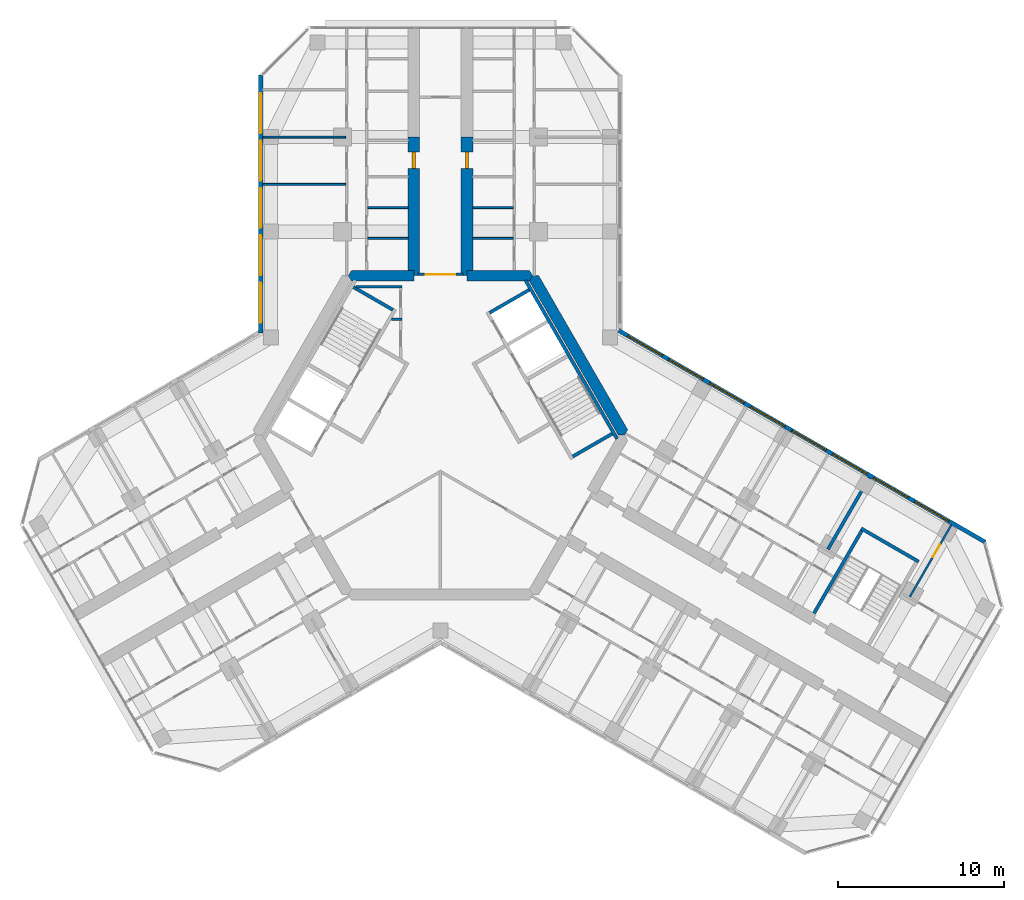
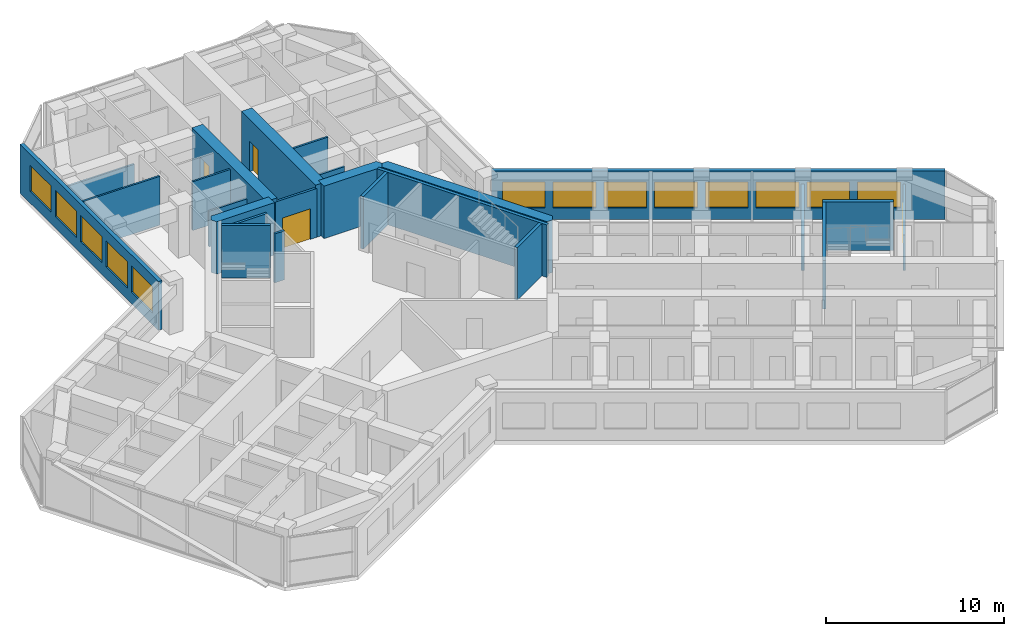
# One storey, part 13 of 16: 24 walls, 13 windows, 4 doors, 17 openings.
"""IFC4 building model written with IfcOpenShell, lengths in metres."""

from ifc_helpers import new_model, si_unit, direction, frame, frame_2d, origin, place, context, subcontext, project, spatial, polyline, rectangle, outline, extrude, material, layer, layer_set, type_object, element, fill, save


model = new_model("IFC4")

# Units and contexts
model_context = context("Model", 3, precision=1e-05, world=origin(), true_north=direction((0.0, 1.0)))
body_context = subcontext(model_context, "Body", "Model", "MODEL_VIEW")
ifc_project = project(units=[si_unit("LENGTHUNIT", "METRE"), si_unit("AREAUNIT", "SQUARE_METRE"), si_unit("VOLUMEUNIT", "CUBIC_METRE"), si_unit("PLANEANGLEUNIT", "RADIAN"), si_unit("MASSUNIT", "GRAM", prefix="KILO")], contexts=[model_context])

# Site, building, storey
site_placement = place(None, origin())
site = spatial("IfcSite", under=ifc_project, at=site_placement, CompositionType="ELEMENT")
building_placement = place(site_placement, origin())
building = spatial("IfcBuilding", under=site, at=building_placement, Name="Kosmar Iwan School Tower", CompositionType="ELEMENT")
storey_placement = place(building_placement, frame((0.0, 0.0, 204.60009765625)))
storey = spatial("IfcBuildingStorey", under=building, at=storey_placement, Name="L51", CompositionType="ELEMENT", Elevation=204.60009765625)

# Walls
ifc_material_1 = material(Name="Gypsum board on steel studs, fire-rated", Category="steel")
ifc_layer_1 = layer(ifc_material_1, 0.14990234375)
ifc_layer_set_1 = layer_set([ifc_layer_1], Name="Core room partition 150")
wall_type_1 = type_object("IfcWallType", Name="Core room partition 150", PredefinedType="PARTITIONING", material=ifc_layer_set_1)
wall_1_placement = place(storey_placement, frame((-2.324951171875, 6.985107421875, 0.0), z_axis=(0.0, 0.0, 1.0), x_axis=(-1.0, 0.0, 0.0)))
element("IfcWall", 1, at=wall_1_placement, inside=storey, type_object=wall_type_1, Name="Core room partition L51-CW2", PredefinedType="PARTITIONING", context=body_context, shape_type="SweptSolid", body=[
    extrude(rectangle(XDim=0.623779296875, YDim=0.14990234375, at=frame_2d((0.31201171875, 0.0))), origin(), (0.0, 0.0, 1.0), 3.349853515625),
])
wall_2_placement = place(storey_placement, frame((-5.089599609375, 8.93994140625, 0.0), z_axis=(0.0, 0.0, 1.0), x_axis=(1.0, 0.0, 0.0)))
element("IfcWall", 2, at=wall_2_placement, inside=storey, type_object=wall_type_1, Name="Core room partition L51-CW3", PredefinedType="PARTITIONING", context=body_context, shape_type="SweptSolid", body=[
    extrude(rectangle(XDim=2.7646484375, YDim=0.14990234375, at=frame_2d((1.38232421875, 0.0))), origin(), (0.0, 0.0, 1.0), 3.349853515625),
])
ifc_material_2 = material(Name="Concrete C50/60", Category="concrete")
ifc_layer_2 = layer(ifc_material_2, 0.64990234375)
ifc_layer_set_2 = layer_set([ifc_layer_2], Name="Core wall 650")
wall_type_2 = type_object("IfcWallType", Name="Core wall 650", PredefinedType="SHEAR", material=ifc_layer_set_2)
wall_3_placement = place(storey_placement, origin())
element("IfcWall", 3, at=wall_3_placement, inside=storey, type_object=wall_type_2, Name="Core wall F030", PredefinedType="SHEAR", context=body_context, shape_type="SweptSolid", body=[
    extrude(outline(polyline([(10.7099609375, 0.0), (11.085205078125, 0.0), (11.272705078125, 0.324951171875), (5.917724609375, 9.60009765625), (5.54248046875, 9.60009765625), (5.35498046875, 9.27490234375), (10.7099609375, 0.0)])), origin(), (0.0, 0.0, 1.0), 3.599853515625),
])
wall_4_placement = place(storey_placement, origin())
element("IfcWall", 4, at=wall_4_placement, inside=storey, type_object=wall_type_2, Name="Core wall F090a", PredefinedType="SHEAR", context=body_context, shape_type="SweptSolid", body=[
    extrude(outline(polyline([(1.60009765625, 9.27490234375), (5.35498046875, 9.27490234375), (5.54248046875, 9.60009765625), (5.35498046875, 9.925048828125), (1.60009765625, 9.925048828125), (1.60009765625, 9.27490234375)])), origin(), (0.0, 0.0, 1.0), 3.599853515625),
])
wall_5_placement = place(storey_placement, origin())
element("IfcWall", 5, at=wall_5_placement, inside=storey, type_object=wall_type_2, Name="Core wall F090b", PredefinedType="SHEAR", context=body_context, shape_type="SweptSolid", body=[
    extrude(outline(polyline([(-5.35498046875, 9.27490234375), (-1.60009765625, 9.27490234375), (-1.60009765625, 9.925048828125), (-5.35498046875, 9.925048828125), (-5.54248046875, 9.60009765625), (-5.35498046875, 9.27490234375)])), origin(), (0.0, 0.0, 1.0), 3.599853515625),
])

# Wall, opening, door
ifc_material_3 = material(Name="Concrete C50/60", Category="concrete")
ifc_layer_3 = layer(ifc_material_3, 0.699951171875)
ifc_layer_set_3 = layer_set([ifc_layer_3], Name="Corridor buttress wall 700")
wall_type_3 = type_object("IfcWallType", Name="Corridor buttress wall 700", PredefinedType="SHEAR", material=ifc_layer_set_3)
wall_6_placement = place(storey_placement, frame((-1.60009765625, 9.60009765625, 0.0), z_axis=(0.0, 0.0, 1.0), x_axis=(0.0, 1.0, 0.0)))
wall_6 = element("IfcWall", 6, at=wall_6_placement, inside=storey, type_object=wall_type_3, Name="Corridor wall AL", PredefinedType="SHEAR", context=body_context, shape_type="SweptSolid", body=[
    extrude(rectangle(XDim=8.349853515625, YDim=0.699951171875, at=frame_2d((4.1748046875, 0.0))), origin(), (0.0, 0.0, 1.0), 3.599853515625),
])
opening_1_placement = place(wall_6_placement, frame((6.449951171875, 0.0, 0.0)))
opening_1 = element("IfcOpeningElement", 7, at=opening_1_placement, cuts=wall_6, Name="Opening D1", PredefinedType="OPENING", context=body_context, shape_type="SweptSolid", body=[
    extrude(rectangle(XDim=1.0, YDim=2.10009765625, at=frame_2d((0.5, 1.050048828125))), frame((0.0, 0.362060546875, 0.0), z_axis=(0.0, -1.0, 0.0), x_axis=(1.0, 0.0, 0.0)), (0.0, 0.0, 1.0), 0.723876953125),
])
ifc_material_4 = material(Name="Timber fire door in steel frame", Category="steel")
door_type_1 = type_object("IfcDoorType", Name="Flat entrance door 1000x2100", OperationType="SINGLE_SWING_LEFT", PredefinedType="DOOR", material=ifc_material_4)
door_1_placement = place(opening_1_placement, origin())
door_1 = element("IfcDoor", 8, at=door_1_placement, inside=storey, type_object=door_type_1, Name="Flat L51-AL1 entrance door", OperationType="SINGLE_SWING_LEFT", OverallHeight=2.10009765625, OverallWidth=1.0, PredefinedType="DOOR", context=body_context, shape_type="SweptSolid", body=[
    extrude(rectangle(XDim=1.0, YDim=2.10009765625, at=frame_2d((0.5, 1.050048828125))), frame((0.0, 0.10009765625, 0.0), z_axis=(0.0, -1.0, 0.0), x_axis=(1.0, 0.0, 0.0)), (0.0, 0.0, 1.0), 0.199951171875),
])
fill(opening_1, door_1)

wall_7_placement = place(storey_placement, frame((1.60009765625, 9.60009765625, 0.0), z_axis=(0.0, 0.0, 1.0), x_axis=(0.0, 1.0, 0.0)))
wall_7 = element("IfcWall", 9, at=wall_7_placement, inside=storey, type_object=wall_type_3, Name="Corridor wall AR", PredefinedType="SHEAR", context=body_context, shape_type="SweptSolid", body=[
    extrude(rectangle(XDim=8.349853515625, YDim=0.699951171875, at=frame_2d((4.1748046875, 0.0))), origin(), (0.0, 0.0, 1.0), 3.599853515625),
])
opening_2_placement = place(wall_7_placement, frame((6.449951171875, 0.0, 0.0)))
opening_2 = element("IfcOpeningElement", 10, at=opening_2_placement, cuts=wall_7, Name="Opening D1", PredefinedType="OPENING", context=body_context, shape_type="SweptSolid", body=[
    extrude(rectangle(XDim=1.0, YDim=2.10009765625, at=frame_2d((0.5, 1.050048828125))), frame((0.0, 0.362060546875, 0.0), z_axis=(0.0, -1.0, 0.0), x_axis=(1.0, 0.0, 0.0)), (0.0, 0.0, 1.0), 0.723876953125),
])
door_2_placement = place(opening_2_placement, origin())
door_2 = element("IfcDoor", 11, at=door_2_placement, inside=storey, type_object=door_type_1, Name="Flat L51-AR1 entrance door", OperationType="SINGLE_SWING_RIGHT", OverallHeight=2.10009765625, OverallWidth=1.0, PredefinedType="DOOR", context=body_context, shape_type="SweptSolid", body=[
    extrude(rectangle(XDim=1.0, YDim=2.10009765625, at=frame_2d((0.5, 1.050048828125))), frame((0.0, 0.10009765625, 0.0), z_axis=(0.0, -1.0, 0.0), x_axis=(1.0, 0.0, 0.0)), (0.0, 0.0, 1.0), 0.199951171875),
])
fill(opening_2, door_2)

ifc_material_5 = material(Name="Steel framed glazed screen", Category="steel")
ifc_layer_4 = layer(ifc_material_5, 0.14990234375)
ifc_layer_set_4 = layer_set([ifc_layer_4], Name="Corridor screen wall 150")
wall_type_4 = type_object("IfcWallType", Name="Corridor screen wall 150", PredefinedType="PARTITIONING", material=ifc_layer_set_4)
wall_8_placement = place(storey_placement, frame((1.35009765625, 9.675048828125, 0.0), z_axis=(0.0, 0.0, 1.0), x_axis=(-1.0, 0.0, 0.0)))
wall_8 = element("IfcWall", 12, at=wall_8_placement, inside=storey, type_object=wall_type_4, Name="Corridor screen A L51", PredefinedType="PARTITIONING", context=body_context, shape_type="SweptSolid", body=[
    extrude(rectangle(XDim=2.7001953125, YDim=0.14990234375, at=frame_2d((1.35009765625, 0.0))), origin(), (0.0, 0.0, 1.0), 3.349853515625),
])
opening_3_placement = place(wall_8_placement, frame((0.449951171875, 0.0, 0.0)))
opening_3 = element("IfcOpeningElement", 13, at=opening_3_placement, cuts=wall_8, Name="Opening D9", PredefinedType="OPENING", context=body_context, shape_type="SweptSolid", body=[
    extrude(rectangle(XDim=1.800048828125, YDim=2.10009765625, at=frame_2d((0.89990234375, 1.050048828125))), frame((0.0, 0.0869140625, 0.0), z_axis=(0.0, -1.0, 0.0), x_axis=(1.0, 0.0, 0.0)), (0.0, 0.0, 1.0), 0.173828125),
])
ifc_material_6 = material(Name="Steel framed glazed smoke door", Category="steel")
door_type_2 = type_object("IfcDoorType", Name="Corridor smoke door pair 1800x2100", OperationType="DOUBLE_DOOR_DOUBLE_SWING", PredefinedType="DOOR", material=ifc_material_6)
door_3_placement = place(opening_3_placement, origin())
door_3 = element("IfcDoor", 14, at=door_3_placement, inside=storey, type_object=door_type_2, Name="Corridor doors A L51", OperationType="DOUBLE_DOOR_DOUBLE_SWING", OverallHeight=2.10009765625, OverallWidth=1.800048828125, PredefinedType="DOOR", context=body_context, shape_type="SweptSolid", body=[
    extrude(rectangle(XDim=1.800048828125, YDim=2.10009765625, at=frame_2d((0.89990234375, 1.050048828125))), frame((0.0, 0.02490234375, 0.0), z_axis=(0.0, -1.0, 0.0), x_axis=(1.0, 0.0, 0.0)), (0.0, 0.0, 1.0), 0.050048828125),
])
fill(opening_3, door_3)

# Walls
ifc_material_7 = material(Name="Gypsum board on steel studs", Category="steel")
ifc_layer_5 = layer(ifc_material_7, 0.1201171875)
ifc_layer_set_5 = layer_set([ifc_layer_5], Name="Dwelling partition 120")
wall_type_5 = type_object("IfcWallType", Name="Dwelling partition 120", PredefinedType="PARTITIONING", material=ifc_layer_set_5)
wall_9_placement = place(storey_placement, frame((-5.7099609375, 15.10009765625, 0.0), z_axis=(0.0, 0.0, 1.0), x_axis=(-1.0, 0.0, 0.0)))
element("IfcWall", 15, at=wall_9_placement, inside=storey, type_object=wall_type_5, Name="Partition L51-AL1-X1", PredefinedType="PARTITIONING", context=body_context, shape_type="SweptSolid", body=[
    extrude(rectangle(XDim=4.989990234375, YDim=0.1201171875, at=frame_2d((2.4951171875, 0.0))), origin(), (0.0, 0.0, 1.0), 3.349853515625),
])
wall_10_placement = place(storey_placement, frame((-5.7099609375, 17.949951171875, 0.0), z_axis=(0.0, 0.0, 1.0), x_axis=(-1.0, 0.0, 0.0)))
element("IfcWall", 16, at=wall_10_placement, inside=storey, type_object=wall_type_5, Name="Partition L51-AL1-X2", PredefinedType="PARTITIONING", context=body_context, shape_type="SweptSolid", body=[
    extrude(rectangle(XDim=4.989990234375, YDim=0.1201171875, at=frame_2d((2.4951171875, 0.0))), origin(), (0.0, 0.0, 1.0), 2.449951171875),
])
wall_11_placement = place(storey_placement, frame((-1.949951171875, 11.85009765625, 0.0), z_axis=(0.0, 0.0, 1.0), x_axis=(-1.0, 0.0, 0.0)))
element("IfcWall", 17, at=wall_11_placement, inside=storey, type_object=wall_type_5, Name="Partition L51-AL1-Y1", PredefinedType="PARTITIONING", context=body_context, shape_type="SweptSolid", body=[
    extrude(rectangle(XDim=2.43994140625, YDim=0.1201171875, at=frame_2d((1.219970703125, 0.0))), origin(), (0.0, 0.0, 1.0), 2.449951171875),
])
wall_12_placement = place(storey_placement, frame((-1.949951171875, 13.699951171875, 0.0), z_axis=(0.0, 0.0, 1.0), x_axis=(-1.0, 0.0, 0.0)))
element("IfcWall", 18, at=wall_12_placement, inside=storey, type_object=wall_type_5, Name="Partition L51-AL1-Y2", PredefinedType="PARTITIONING", context=body_context, shape_type="SweptSolid", body=[
    extrude(rectangle(XDim=2.43994140625, YDim=0.1201171875, at=frame_2d((1.219970703125, 0.0))), origin(), (0.0, 0.0, 1.0), 3.349853515625),
])
wall_13_placement = place(storey_placement, frame((1.949951171875, 11.85009765625, 0.0), z_axis=(0.0, 0.0, 1.0), x_axis=(1.0, 0.0, 0.0)))
element("IfcWall", 19, at=wall_13_placement, inside=storey, type_object=wall_type_5, Name="Partition L51-AR1-Y1", PredefinedType="PARTITIONING", context=body_context, shape_type="SweptSolid", body=[
    extrude(rectangle(XDim=2.43994140625, YDim=0.1201171875, at=frame_2d((1.219970703125, 0.0))), origin(), (0.0, 0.0, 1.0), 2.449951171875),
])
wall_14_placement = place(storey_placement, frame((1.949951171875, 13.699951171875, 0.0), z_axis=(0.0, 0.0, 1.0), x_axis=(1.0, 0.0, 0.0)))
element("IfcWall", 20, at=wall_14_placement, inside=storey, type_object=wall_type_5, Name="Partition L51-AR1-Y2", PredefinedType="PARTITIONING", context=body_context, shape_type="SweptSolid", body=[
    extrude(rectangle(XDim=2.43994140625, YDim=0.1201171875, at=frame_2d((1.219970703125, 0.0))), origin(), (0.0, 0.0, 1.0), 3.349853515625),
])

# Wall, opening, door
wall_15_placement = place(storey_placement, frame((28.27294921875, -9.72998046875, 0.0), z_axis=(0.0, 0.0, 1.0), x_axis=(0.499975153383, 0.86603974851, 0.0)))
wall_15 = element("IfcWall", 21, at=wall_15_placement, inside=storey, type_object=wall_type_5, Name="Partition L51-CL3-TX", PredefinedType="PARTITIONING", context=body_context, shape_type="SweptSolid", body=[
    extrude(rectangle(XDim=4.989990234375, YDim=0.1201171875, at=frame_2d((2.4951171875, 0.0))), origin(), (0.0, 0.0, 1.0), 2.449951171875),
])
opening_4_placement = place(wall_15_placement, frame((2.739990234375, 0.0, 0.0)))
opening_4 = element("IfcOpeningElement", 22, at=opening_4_placement, cuts=wall_15, Name="Opening D2", PredefinedType="OPENING", context=body_context, shape_type="SweptSolid", body=[
    extrude(rectangle(XDim=0.89990234375, YDim=2.10009765625, at=frame_2d((0.449951171875, 1.050048828125))), frame((0.0, 0.072021484375, 0.0), z_axis=(0.0, -1.0, 0.0), x_axis=(1.0, 0.0, 0.0)), (0.0, 0.0, 1.0), 0.14404296875),
])
ifc_material_8 = material(Name="Timber door in timber frame", Category="wood")
door_type_3 = type_object("IfcDoorType", Name="Internal door 900x2100", OperationType="SINGLE_SWING_LEFT", PredefinedType="DOOR", material=ifc_material_8)
door_4_placement = place(opening_4_placement, origin())
door_4 = element("IfcDoor", 23, at=door_4_placement, inside=storey, type_object=door_type_3, Name="Bedroom 1 door L51-CL3-T1", OperationType="SINGLE_SWING_RIGHT", OverallHeight=2.10009765625, OverallWidth=0.89990234375, PredefinedType="DOOR", context=body_context, shape_type="SweptSolid", body=[
    extrude(rectangle(XDim=0.89990234375, YDim=2.10009765625, at=frame_2d((0.449951171875, 1.050048828125))), frame((0.0, 0.02490234375, 0.0), z_axis=(0.0, -1.0, 0.0), x_axis=(1.0, 0.0, 0.0)), (0.0, 0.0, 1.0), 0.050048828125),
])
fill(opening_4, door_4)

# Walls
ifc_material_9 = material(Name="Concrete C35/45", Category="concrete")
ifc_layer_6 = layer(ifc_material_9, 0.199951171875)
ifc_layer_set_6 = layer_set([ifc_layer_6], Name="Escape stair wall 200")
wall_type_6 = type_object("IfcWallType", Name="Escape stair wall 200", PredefinedType="SHEAR", material=ifc_layer_set_6)
wall_16_placement = place(storey_placement, frame((22.49560546875, -10.736328125, 0.0), z_axis=(0.0, 0.0, 1.0), x_axis=(0.500013701029, 0.866017493347, 0.0)))
element("IfcWall", 24, at=wall_16_placement, inside=storey, type_object=wall_type_6, Name="Stair WS3 wall", PredefinedType="SHEAR", context=body_context, shape_type="SweptSolid", body=[
    extrude(rectangle(XDim=5.949951171875, YDim=0.199951171875, at=frame_2d((2.97509765625, 0.0))), origin(), (0.0, 0.0, 1.0), 3.329833984375),
])
wall_17_placement = place(storey_placement, frame((25.334228515625, -5.6201171875, 0.0), z_axis=(0.0, 0.0, 1.0), x_axis=(0.866026010844, -0.49999894854, 0.0)))
element("IfcWall", 25, at=wall_17_placement, inside=storey, type_object=wall_type_6, Name="Stair WS3 wall", PredefinedType="SHEAR", context=body_context, shape_type="SweptSolid", body=[
    extrude(rectangle(XDim=4.0, YDim=0.199951171875, at=frame_2d((2.0, 0.0))), origin(), (0.0, 0.0, 1.0), 3.329833984375),
])

# Wall, openings, windows
ifc_material_10 = material(Name="Black aluminium rainscreen on insulated framing", Category="aluminium")
ifc_layer_7 = layer(ifc_material_10, 0.25)
ifc_layer_set_7 = layer_set([ifc_layer_7], Name="External wall rainscreen 250")
wall_type_7 = type_object("IfcWallType", Name="External wall rainscreen 250", PredefinedType="SOLIDWALL", material=ifc_layer_set_7)
wall_18_placement = place(storey_placement, frame((10.73681640625, 6.30078125, 0.0), z_axis=(0.0, 0.0, 1.0), x_axis=(0.866026390279, -0.499998291337, 0.0)))
wall_18 = element("IfcWall", 26, at=wall_18_placement, inside=storey, type_object=wall_type_7, Name="External wall CL L51", PredefinedType="SOLIDWALL", context=body_context, shape_type="SweptSolid", body=[
    extrude(rectangle(XDim=25.4873046875, YDim=0.25, at=frame_2d((12.74365234375, 0.0))), origin(), (0.0, 0.0, 1.0), 3.349853515625),
])
opening_5_placement = place(wall_18_placement, frame((0.626953125, 0.0, 0.800048828125)))
opening_5 = element("IfcOpeningElement", 27, at=opening_5_placement, cuts=wall_18, Name="Opening W5", PredefinedType="OPENING", context=body_context, shape_type="SweptSolid", body=[
    extrude(rectangle(XDim=2.39990234375, YDim=1.800048828125, at=frame_2d((1.199951171875, 0.89990234375))), frame((0.0, 0.136962890625, 0.0), z_axis=(0.0, -1.0, 0.0), x_axis=(1.0, 0.0, 0.0)), (0.0, 0.0, 1.0), 0.27392578125),
])
opening_6_placement = place(wall_18_placement, frame((3.47705078125, 0.0, 0.800048828125)))
opening_6 = element("IfcOpeningElement", 28, at=opening_6_placement, cuts=wall_18, Name="Opening W5", PredefinedType="OPENING", context=body_context, shape_type="SweptSolid", body=[
    extrude(rectangle(XDim=2.39990234375, YDim=1.800048828125, at=frame_2d((1.199951171875, 0.89990234375))), frame((0.0, 0.136962890625, 0.0), z_axis=(0.0, -1.0, 0.0), x_axis=(1.0, 0.0, 0.0)), (0.0, 0.0, 1.0), 0.27392578125),
])
opening_7_placement = place(wall_18_placement, frame((6.326904296875, 0.0, 0.800048828125)))
opening_7 = element("IfcOpeningElement", 29, at=opening_7_placement, cuts=wall_18, Name="Opening W5", PredefinedType="OPENING", context=body_context, shape_type="SweptSolid", body=[
    extrude(rectangle(XDim=2.39990234375, YDim=1.800048828125, at=frame_2d((1.199951171875, 0.89990234375))), frame((0.0, 0.136962890625, 0.0), z_axis=(0.0, -1.0, 0.0), x_axis=(1.0, 0.0, 0.0)), (0.0, 0.0, 1.0), 0.27392578125),
])
opening_8_placement = place(wall_18_placement, frame((9.177001953125, 0.0, 0.800048828125)))
opening_8 = element("IfcOpeningElement", 30, at=opening_8_placement, cuts=wall_18, Name="Opening W5", PredefinedType="OPENING", context=body_context, shape_type="SweptSolid", body=[
    extrude(rectangle(XDim=2.39990234375, YDim=1.800048828125, at=frame_2d((1.199951171875, 0.89990234375))), frame((0.0, 0.136962890625, 0.0), z_axis=(0.0, -1.0, 0.0), x_axis=(1.0, 0.0, 0.0)), (0.0, 0.0, 1.0), 0.27392578125),
])
opening_9_placement = place(wall_18_placement, frame((12.027099609375, 0.0, 0.800048828125)))
opening_9 = element("IfcOpeningElement", 31, at=opening_9_placement, cuts=wall_18, Name="Opening W5", PredefinedType="OPENING", context=body_context, shape_type="SweptSolid", body=[
    extrude(rectangle(XDim=2.39990234375, YDim=1.800048828125, at=frame_2d((1.199951171875, 0.89990234375))), frame((0.0, 0.136962890625, 0.0), z_axis=(0.0, -1.0, 0.0), x_axis=(1.0, 0.0, 0.0)), (0.0, 0.0, 1.0), 0.27392578125),
])
opening_10_placement = place(wall_18_placement, frame((14.876953125, 0.0, 0.800048828125)))
opening_10 = element("IfcOpeningElement", 32, at=opening_10_placement, cuts=wall_18, Name="Opening W5", PredefinedType="OPENING", context=body_context, shape_type="SweptSolid", body=[
    extrude(rectangle(XDim=2.39990234375, YDim=1.800048828125, at=frame_2d((1.199951171875, 0.89990234375))), frame((0.0, 0.136962890625, 0.0), z_axis=(0.0, -1.0, 0.0), x_axis=(1.0, 0.0, 0.0)), (0.0, 0.0, 1.0), 0.27392578125),
])
opening_11_placement = place(wall_18_placement, frame((17.72705078125, 0.0, 0.800048828125)))
opening_11 = element("IfcOpeningElement", 33, at=opening_11_placement, cuts=wall_18, Name="Opening W5", PredefinedType="OPENING", context=body_context, shape_type="SweptSolid", body=[
    extrude(rectangle(XDim=2.39990234375, YDim=1.800048828125, at=frame_2d((1.199951171875, 0.89990234375))), frame((0.0, 0.136962890625, 0.0), z_axis=(0.0, -1.0, 0.0), x_axis=(1.0, 0.0, 0.0)), (0.0, 0.0, 1.0), 0.27392578125),
])
opening_12_placement = place(wall_18_placement, frame((20.576904296875, 0.0, 0.800048828125)))
opening_12 = element("IfcOpeningElement", 34, at=opening_12_placement, cuts=wall_18, Name="Opening W5", PredefinedType="OPENING", context=body_context, shape_type="SweptSolid", body=[
    extrude(rectangle(XDim=2.39990234375, YDim=1.800048828125, at=frame_2d((1.199951171875, 0.89990234375))), frame((0.0, 0.136962890625, 0.0), z_axis=(0.0, -1.0, 0.0), x_axis=(1.0, 0.0, 0.0)), (0.0, 0.0, 1.0), 0.27392578125),
])
ifc_material_11 = material(Name="Black aluminium frame with dark triple glazing", Category="aluminium")
window_type = type_object("IfcWindowType", Name="Window 2400x1800", PartitioningType="SINGLE_PANEL", PredefinedType="WINDOW", material=ifc_material_11)
window_1_placement = place(opening_5_placement, origin())
window_1 = element("IfcWindow", 35, at=window_1_placement, inside=storey, type_object=window_type, Name="Window CL L51 -1", OverallHeight=1.800048828125, OverallWidth=2.39990234375, PartitioningType="SINGLE_PANEL", PredefinedType="WINDOW", context=body_context, shape_type="SweptSolid", body=[
    extrude(rectangle(XDim=2.39990234375, YDim=1.800048828125, at=frame_2d((1.199951171875, 0.89990234375))), frame((0.0, 0.030029296875, 0.0), z_axis=(0.0, -1.0, 0.0), x_axis=(1.0, 0.0, 0.0)), (0.0, 0.0, 1.0), 0.06005859375),
])
fill(opening_5, window_1)
window_2_placement = place(opening_6_placement, origin())
window_2 = element("IfcWindow", 36, at=window_2_placement, inside=storey, type_object=window_type, Name="Window CL L51 0", OverallHeight=1.800048828125, OverallWidth=2.39990234375, PartitioningType="SINGLE_PANEL", PredefinedType="WINDOW", context=body_context, shape_type="SweptSolid", body=[
    extrude(rectangle(XDim=2.39990234375, YDim=1.800048828125, at=frame_2d((1.199951171875, 0.89990234375))), frame((0.0, 0.030029296875, 0.0), z_axis=(0.0, -1.0, 0.0), x_axis=(1.0, 0.0, 0.0)), (0.0, 0.0, 1.0), 0.06005859375),
])
fill(opening_6, window_2)
window_3_placement = place(opening_7_placement, origin())
window_3 = element("IfcWindow", 37, at=window_3_placement, inside=storey, type_object=window_type, Name="Window CL L51 1", OverallHeight=1.800048828125, OverallWidth=2.39990234375, PartitioningType="SINGLE_PANEL", PredefinedType="WINDOW", context=body_context, shape_type="SweptSolid", body=[
    extrude(rectangle(XDim=2.39990234375, YDim=1.800048828125, at=frame_2d((1.199951171875, 0.89990234375))), frame((0.0, 0.030029296875, 0.0), z_axis=(0.0, -1.0, 0.0), x_axis=(1.0, 0.0, 0.0)), (0.0, 0.0, 1.0), 0.06005859375),
])
fill(opening_7, window_3)
window_4_placement = place(opening_8_placement, origin())
window_4 = element("IfcWindow", 38, at=window_4_placement, inside=storey, type_object=window_type, Name="Window CL L51 2", OverallHeight=1.800048828125, OverallWidth=2.39990234375, PartitioningType="SINGLE_PANEL", PredefinedType="WINDOW", context=body_context, shape_type="SweptSolid", body=[
    extrude(rectangle(XDim=2.39990234375, YDim=1.800048828125, at=frame_2d((1.199951171875, 0.89990234375))), frame((0.0, 0.030029296875, 0.0), z_axis=(0.0, -1.0, 0.0), x_axis=(1.0, 0.0, 0.0)), (0.0, 0.0, 1.0), 0.06005859375),
])
fill(opening_8, window_4)
window_5_placement = place(opening_9_placement, origin())
window_5 = element("IfcWindow", 39, at=window_5_placement, inside=storey, type_object=window_type, Name="Window CL L51 3", OverallHeight=1.800048828125, OverallWidth=2.39990234375, PartitioningType="SINGLE_PANEL", PredefinedType="WINDOW", context=body_context, shape_type="SweptSolid", body=[
    extrude(rectangle(XDim=2.39990234375, YDim=1.800048828125, at=frame_2d((1.199951171875, 0.89990234375))), frame((0.0, 0.030029296875, 0.0), z_axis=(0.0, -1.0, 0.0), x_axis=(1.0, 0.0, 0.0)), (0.0, 0.0, 1.0), 0.06005859375),
])
fill(opening_9, window_5)
window_6_placement = place(opening_10_placement, origin())
window_6 = element("IfcWindow", 40, at=window_6_placement, inside=storey, type_object=window_type, Name="Window CL L51 4", OverallHeight=1.800048828125, OverallWidth=2.39990234375, PartitioningType="SINGLE_PANEL", PredefinedType="WINDOW", context=body_context, shape_type="SweptSolid", body=[
    extrude(rectangle(XDim=2.39990234375, YDim=1.800048828125, at=frame_2d((1.199951171875, 0.89990234375))), frame((0.0, 0.030029296875, 0.0), z_axis=(0.0, -1.0, 0.0), x_axis=(1.0, 0.0, 0.0)), (0.0, 0.0, 1.0), 0.06005859375),
])
fill(opening_10, window_6)
window_7_placement = place(opening_11_placement, origin())
window_7 = element("IfcWindow", 41, at=window_7_placement, inside=storey, type_object=window_type, Name="Window CL L51 5", OverallHeight=1.800048828125, OverallWidth=2.39990234375, PartitioningType="SINGLE_PANEL", PredefinedType="WINDOW", context=body_context, shape_type="SweptSolid", body=[
    extrude(rectangle(XDim=2.39990234375, YDim=1.800048828125, at=frame_2d((1.199951171875, 0.89990234375))), frame((0.0, 0.030029296875, 0.0), z_axis=(0.0, -1.0, 0.0), x_axis=(1.0, 0.0, 0.0)), (0.0, 0.0, 1.0), 0.06005859375),
])
fill(opening_11, window_7)
window_8_placement = place(opening_12_placement, origin())
window_8 = element("IfcWindow", 42, at=window_8_placement, inside=storey, type_object=window_type, Name="Window CL L51 6", OverallHeight=1.800048828125, OverallWidth=2.39990234375, PartitioningType="SINGLE_PANEL", PredefinedType="WINDOW", context=body_context, shape_type="SweptSolid", body=[
    extrude(rectangle(XDim=2.39990234375, YDim=1.800048828125, at=frame_2d((1.199951171875, 0.89990234375))), frame((0.0, 0.030029296875, 0.0), z_axis=(0.0, -1.0, 0.0), x_axis=(1.0, 0.0, 0.0)), (0.0, 0.0, 1.0), 0.06005859375),
])
fill(opening_12, window_8)

wall_19_placement = place(storey_placement, frame((-10.824951171875, 6.14794921875, 0.0), z_axis=(0.0, 0.0, 1.0), x_axis=(0.0, 1.0, 0.0)))
wall_19 = element("IfcWall", 43, at=wall_19_placement, inside=storey, type_object=wall_type_7, Name="External wall AL L51", PredefinedType="SOLIDWALL", context=body_context, shape_type="SweptSolid", body=[
    extrude(rectangle(XDim=15.537353515625, YDim=0.25, at=frame_2d((7.7685546875, 0.0))), origin(), (0.0, 0.0, 1.0), 3.349853515625),
])
opening_13_placement = place(wall_19_placement, frame((0.626953125, 0.0, 0.800048828125)))
opening_13 = element("IfcOpeningElement", 44, at=opening_13_placement, cuts=wall_19, Name="Opening W5", PredefinedType="OPENING", context=body_context, shape_type="SweptSolid", body=[
    extrude(rectangle(XDim=2.39990234375, YDim=1.800048828125, at=frame_2d((1.199951171875, 0.89990234375))), frame((0.0, 0.136962890625, 0.0), z_axis=(0.0, -1.0, 0.0), x_axis=(1.0, 0.0, 0.0)), (0.0, 0.0, 1.0), 0.27392578125),
])
opening_14_placement = place(wall_19_placement, frame((3.47705078125, 0.0, 0.800048828125)))
opening_14 = element("IfcOpeningElement", 45, at=opening_14_placement, cuts=wall_19, Name="Opening W5", PredefinedType="OPENING", context=body_context, shape_type="SweptSolid", body=[
    extrude(rectangle(XDim=2.39990234375, YDim=1.800048828125, at=frame_2d((1.199951171875, 0.89990234375))), frame((0.0, 0.136962890625, 0.0), z_axis=(0.0, -1.0, 0.0), x_axis=(1.0, 0.0, 0.0)), (0.0, 0.0, 1.0), 0.27392578125),
])
opening_15_placement = place(wall_19_placement, frame((6.326904296875, 0.0, 0.800048828125)))
opening_15 = element("IfcOpeningElement", 46, at=opening_15_placement, cuts=wall_19, Name="Opening W5", PredefinedType="OPENING", context=body_context, shape_type="SweptSolid", body=[
    extrude(rectangle(XDim=2.39990234375, YDim=1.800048828125, at=frame_2d((1.199951171875, 0.89990234375))), frame((0.0, 0.136962890625, 0.0), z_axis=(0.0, -1.0, 0.0), x_axis=(1.0, 0.0, 0.0)), (0.0, 0.0, 1.0), 0.27392578125),
])
opening_16_placement = place(wall_19_placement, frame((9.177001953125, 0.0, 0.800048828125)))
opening_16 = element("IfcOpeningElement", 47, at=opening_16_placement, cuts=wall_19, Name="Opening W5", PredefinedType="OPENING", context=body_context, shape_type="SweptSolid", body=[
    extrude(rectangle(XDim=2.39990234375, YDim=1.800048828125, at=frame_2d((1.199951171875, 0.89990234375))), frame((0.0, 0.136962890625, 0.0), z_axis=(0.0, -1.0, 0.0), x_axis=(1.0, 0.0, 0.0)), (0.0, 0.0, 1.0), 0.27392578125),
])
opening_17_placement = place(wall_19_placement, frame((12.027099609375, 0.0, 0.800048828125)))
opening_17 = element("IfcOpeningElement", 48, at=opening_17_placement, cuts=wall_19, Name="Opening W5", PredefinedType="OPENING", context=body_context, shape_type="SweptSolid", body=[
    extrude(rectangle(XDim=2.39990234375, YDim=1.800048828125, at=frame_2d((1.199951171875, 0.89990234375))), frame((0.0, 0.136962890625, 0.0), z_axis=(0.0, -1.0, 0.0), x_axis=(1.0, 0.0, 0.0)), (0.0, 0.0, 1.0), 0.27392578125),
])
window_9_placement = place(opening_13_placement, origin())
window_9 = element("IfcWindow", 49, at=window_9_placement, inside=storey, type_object=window_type, Name="Window AL L51 -1", OverallHeight=1.800048828125, OverallWidth=2.39990234375, PartitioningType="SINGLE_PANEL", PredefinedType="WINDOW", context=body_context, shape_type="SweptSolid", body=[
    extrude(rectangle(XDim=2.39990234375, YDim=1.800048828125, at=frame_2d((1.199951171875, 0.89990234375))), frame((0.0, 0.030029296875, 0.0), z_axis=(0.0, -1.0, 0.0), x_axis=(1.0, 0.0, 0.0)), (0.0, 0.0, 1.0), 0.06005859375),
])
fill(opening_13, window_9)
window_10_placement = place(opening_14_placement, origin())
window_10 = element("IfcWindow", 50, at=window_10_placement, inside=storey, type_object=window_type, Name="Window AL L51 0", OverallHeight=1.800048828125, OverallWidth=2.39990234375, PartitioningType="SINGLE_PANEL", PredefinedType="WINDOW", context=body_context, shape_type="SweptSolid", body=[
    extrude(rectangle(XDim=2.39990234375, YDim=1.800048828125, at=frame_2d((1.199951171875, 0.89990234375))), frame((0.0, 0.030029296875, 0.0), z_axis=(0.0, -1.0, 0.0), x_axis=(1.0, 0.0, 0.0)), (0.0, 0.0, 1.0), 0.06005859375),
])
fill(opening_14, window_10)
window_11_placement = place(opening_15_placement, origin())
window_11 = element("IfcWindow", 51, at=window_11_placement, inside=storey, type_object=window_type, Name="Window AL L51 1", OverallHeight=1.800048828125, OverallWidth=2.39990234375, PartitioningType="SINGLE_PANEL", PredefinedType="WINDOW", context=body_context, shape_type="SweptSolid", body=[
    extrude(rectangle(XDim=2.39990234375, YDim=1.800048828125, at=frame_2d((1.199951171875, 0.89990234375))), frame((0.0, 0.030029296875, 0.0), z_axis=(0.0, -1.0, 0.0), x_axis=(1.0, 0.0, 0.0)), (0.0, 0.0, 1.0), 0.06005859375),
])
fill(opening_15, window_11)
window_12_placement = place(opening_16_placement, origin())
window_12 = element("IfcWindow", 52, at=window_12_placement, inside=storey, type_object=window_type, Name="Window AL L51 2", OverallHeight=1.800048828125, OverallWidth=2.39990234375, PartitioningType="SINGLE_PANEL", PredefinedType="WINDOW", context=body_context, shape_type="SweptSolid", body=[
    extrude(rectangle(XDim=2.39990234375, YDim=1.800048828125, at=frame_2d((1.199951171875, 0.89990234375))), frame((0.0, 0.030029296875, 0.0), z_axis=(0.0, -1.0, 0.0), x_axis=(1.0, 0.0, 0.0)), (0.0, 0.0, 1.0), 0.06005859375),
])
fill(opening_16, window_12)
window_13_placement = place(opening_17_placement, origin())
window_13 = element("IfcWindow", 53, at=window_13_placement, inside=storey, type_object=window_type, Name="Window AL L51 3", OverallHeight=1.800048828125, OverallWidth=2.39990234375, PartitioningType="SINGLE_PANEL", PredefinedType="WINDOW", context=body_context, shape_type="SweptSolid", body=[
    extrude(rectangle(XDim=2.39990234375, YDim=1.800048828125, at=frame_2d((1.199951171875, 0.89990234375))), frame((0.0, 0.030029296875, 0.0), z_axis=(0.0, -1.0, 0.0), x_axis=(1.0, 0.0, 0.0)), (0.0, 0.0, 1.0), 0.06005859375),
])
fill(opening_17, window_13)

# Walls
ifc_material_12 = material(Name="Concrete C50/60", Category="concrete")
ifc_layer_8 = layer(ifc_material_12, 0.199951171875)
ifc_layer_set_8 = layer_set([ifc_layer_8], Name="Lift shaft wall 200")
wall_type_8 = type_object("IfcWallType", Name="Lift shaft wall 200", PredefinedType="SHEAR", material=ifc_layer_set_8)
wall_20_placement = place(storey_placement, frame((10.6376953125, -0.22509765625, 0.0), z_axis=(0.0, 0.0, 1.0), x_axis=(-0.49999650507, 0.866027421574, 0.0)))
element("IfcWall", 54, at=wall_20_placement, inside=storey, type_object=wall_type_8, Name="Lift and stair back wall AC", PredefinedType="SHEAR", context=body_context, shape_type="SweptSolid", body=[
    extrude(rectangle(XDim=11.02734375, YDim=0.199951171875, at=frame_2d((5.513671875, 0.0))), origin(), (0.0, 0.0, 1.0), 3.599853515625),
])
wall_21_placement = place(storey_placement, frame((2.962646484375, 7.368408203125, 0.0), z_axis=(0.0, 0.0, 1.0), x_axis=(0.866027397988, 0.499996545922, 0.0)))
element("IfcWall", 55, at=wall_21_placement, inside=storey, type_object=wall_type_8, Name="Lift shaft wall AC 2", PredefinedType="SHEAR", context=body_context, shape_type="SweptSolid", body=[
    extrude(rectangle(XDim=2.75, YDim=0.199951171875, at=frame_2d((1.375, 0.0))), origin(), (0.0, 0.0, 1.0), 3.599853515625),
])
ifc_material_13 = material(Name="Concrete block masonry", Category="masonry")
ifc_layer_9 = layer(ifc_material_13, 0.199951171875)
ifc_layer_set_9 = layer_set([ifc_layer_9], Name="Party wall 200")
wall_type_9 = type_object("IfcWallType", Name="Party wall 200", PredefinedType="PARTITIONING", material=ifc_layer_set_9)
wall_22_placement = place(storey_placement, frame((23.33642578125, -6.8798828125, 0.0), z_axis=(0.0, 0.0, 1.0), x_axis=(0.500033033937, 0.866006330792, 0.0)))
element("IfcWall", 56, at=wall_22_placement, inside=storey, type_object=wall_type_9, Name="Partition L51-CL3-TB", PredefinedType="PARTITIONING", context=body_context, shape_type="SweptSolid", body=[
    extrude(rectangle(XDim=4.989990234375, YDim=0.199951171875, at=frame_2d((2.4951171875, 0.0))), origin(), (0.0, 0.0, 1.0), 2.449951171875),
])
ifc_material_14 = material(Name="Concrete C50/60", Category="concrete")
ifc_layer_10 = layer(ifc_material_14, 0.199951171875)
ifc_layer_set_10 = layer_set([ifc_layer_10], Name="Stair enclosure wall 200")
wall_type_10 = type_object("IfcWallType", Name="Stair enclosure wall 200", PredefinedType="SHEAR", material=ifc_layer_set_10)
for number, where, z_axis, x_axis, name in (
    (57, (-2.862548828125, 7.541748046875, 0.0), (0.0, 0.0, 1.0), (-0.866027397988, 0.499996545922, 0.0), "Stair ST2 wall"),
    (58, (7.962646484375, -1.291748046875, 0.0), (0.0, 0.0, 1.0), (0.866027397988, 0.499996545922, 0.0), "Stair ST1 wall"),
):
    element("IfcWall", number, at=place(storey_placement, frame(where, z_axis=z_axis, x_axis=x_axis)), inside=storey, type_object=wall_type_10, Name=name, PredefinedType="SHEAR", context=body_context, shape_type="SweptSolid", body=[
        extrude(rectangle(XDim=2.75, YDim=0.199951171875, at=frame_2d((1.375, 0.0))), origin(), (0.0, 0.0, 1.0), 3.599853515625),
    ])

save(model, "model.ifc")
